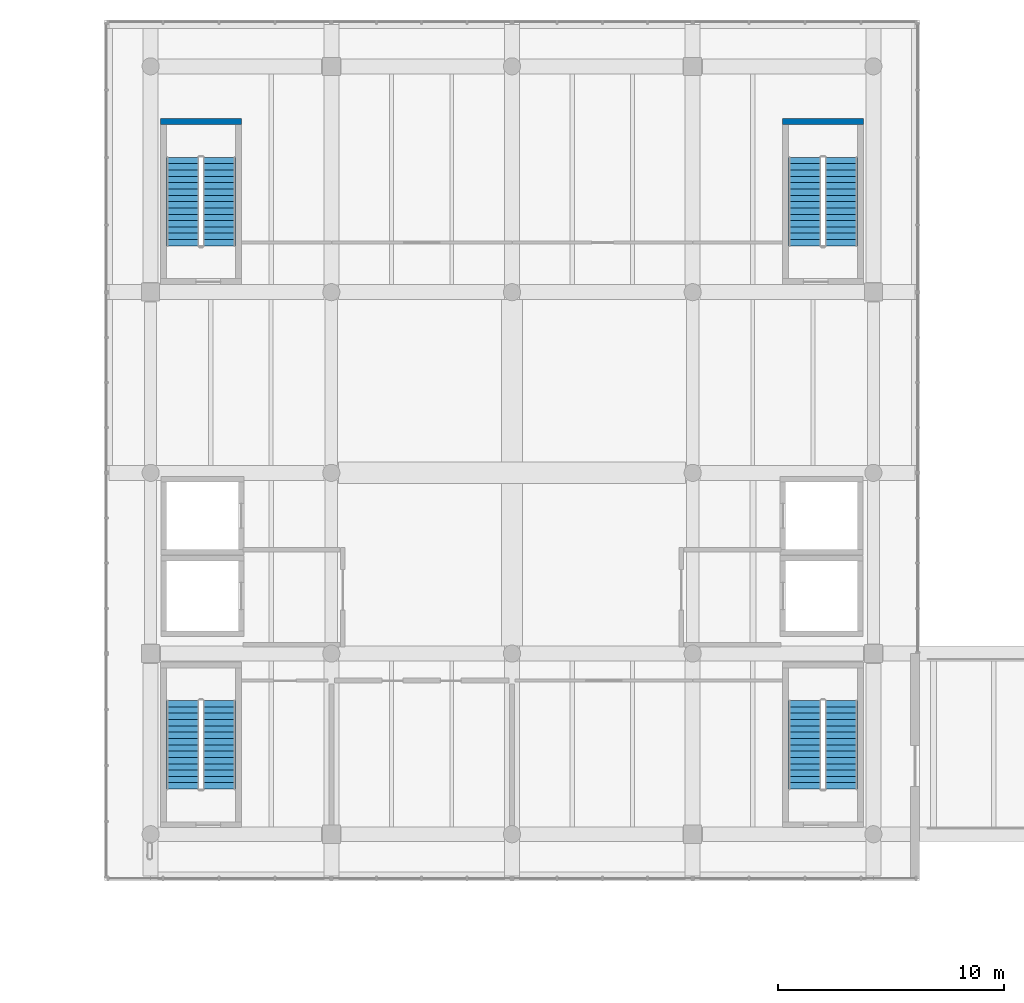
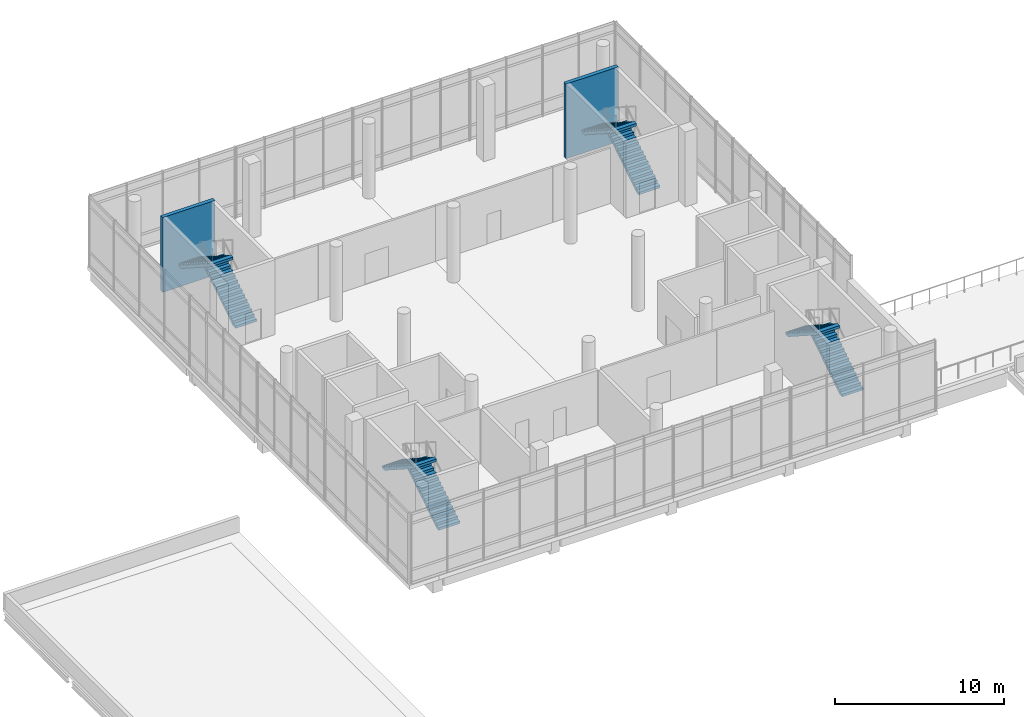
# One storey, part 15 of 20: 8 stair flights, 2 walls, 4 elements without a shape of their own.
"""IFC4 building model written with IfcOpenShell, lengths in metres."""

from ifc_helpers import new_model, si_unit, direction, frame, frame_2d, origin, place, context, subcontext, project, spatial, polyline, rectangle, outline, extrude, material, layer, layer_set, type_object, element, aggregate, save


model = new_model("IFC4")

# Units and contexts
model_context = context("Model", 3, precision=1e-05, world=origin(), true_north=direction((0.0, 1.0)))
body_context = subcontext(model_context, "Body", "Model", "MODEL_VIEW")
ifc_project = project(units=[si_unit("LENGTHUNIT", "METRE"), si_unit("AREAUNIT", "SQUARE_METRE"), si_unit("VOLUMEUNIT", "CUBIC_METRE"), si_unit("PLANEANGLEUNIT", "RADIAN"), si_unit("MASSUNIT", "GRAM", prefix="KILO")], contexts=[model_context])

# Site, building, storey
site_placement = place(None, origin())
site = spatial("IfcSite", under=ifc_project, at=site_placement, CompositionType="ELEMENT")
building_placement = place(site_placement, origin())
building = spatial("IfcBuilding", under=site, at=building_placement, Name="Pecanmere Concourse Central Library", CompositionType="ELEMENT")
storey_placement = place(building_placement, frame((0.0, 0.0, 24.89990234375)))
storey = spatial("IfcBuildingStorey", under=building, at=storey_placement, Name="L06", CompositionType="ELEMENT", Elevation=24.89990234375)

# Walls
ifc_material_1 = material(Name="Concrete C40/50", Category="concrete")
ifc_layer = layer(ifc_material_1, 0.260009765625, Name="WALL_SLD_260")
ifc_layer_set = layer_set([ifc_layer], Name="Concrete C40/50")
wall_type = type_object("IfcWallType", Name="WALL_SLD_260", PredefinedType="SOLIDWALL", material=ifc_layer_set)
for number, where, z_axis, x_axis, name in (
    (1, (72.43994140625, 121.550048828125, 0.0), (0.0, 0.0, 1.0), (1.0, 0.0, 0.0), "Core C3 North Wall L06"),
    (2, (99.97998046875, 121.550048828125, 0.0), (0.0, 0.0, 1.0), (1.0, 0.0, 0.0), "Core C4 North Wall L06"),
):
    element("IfcWall", number, at=place(storey_placement, frame(where, z_axis=z_axis, x_axis=x_axis)), inside=storey, type_object=wall_type, Name=name, PredefinedType="SOLIDWALL", context=body_context, shape_type="SweptSolid", body=[
        extrude(rectangle(XDim=3.580078125, YDim=0.260009765625, at=frame_2d((1.7900390625, 0.0))), origin(), (0.0, 0.0, 1.0), 5.400146484375),
    ])

# Stair, stair flights
ifc_material_2 = material(Name="Concrete C35/45", Category="concrete")
stair_type_1 = type_object("IfcStairType", Name="STAIR_TYPE_ST-01-1800", PredefinedType="USERDEFINED", material=ifc_material_2)
stair_1_placement = place(storey_placement, origin())
stair_1 = element("IfcStair", 3, at=stair_1_placement, inside=storey, type_object=stair_type_1, Name="L06 Protected Stair ST-01", ObjectType="TWO_RETURN_STAIR", PredefinedType="USERDEFINED")
ifc_material_3 = material(Name="Concrete C35/45", Category="concrete")
stair_flight_type = type_object("IfcStairFlightType", Name="FLIGHT_TYPE_SFL-145-1800", PredefinedType="STRAIGHT", material=ifc_material_3)
stair_flight_1_placement = place(storey_placement, frame((75.034912109375, 92.0, 0.0), z_axis=(0.0, 0.0, 1.0), x_axis=(0.0, 1.0, 0.0)))
stair_flight_1 = element("IfcStairFlight", 4, at=stair_flight_1_placement, type_object=stair_flight_type, Name="ST-01-1800 flight 1", NumberOfRisers=15, NumberOfTreads=14, PredefinedType="STRAIGHT", RiserHeight=0.18, TreadLength=0.28, context=body_context, shape_type="SweptSolid", body=[
    extrude(outline(polyline([(0.0, 0.0), (0.0, 0.179931640625), (0.280029296875, 0.179931640625), (0.280029296875, 0.360107421875), (0.56005859375, 0.360107421875), (0.56005859375, 0.5400390625), (0.840087890625, 0.5400390625), (0.840087890625, 0.719970703125), (1.1201171875, 0.719970703125), (1.1201171875, 0.89990234375), (1.39990234375, 0.89990234375), (1.39990234375, 1.080078125), (1.679931640625, 1.080078125), (1.679931640625, 1.260009765625), (1.9599609375, 1.260009765625), (1.9599609375, 1.43994140625), (2.239990234375, 1.43994140625), (2.239990234375, 1.6201171875), (2.52001953125, 1.6201171875), (2.52001953125, 1.800048828125), (2.800048828125, 1.800048828125), (2.800048828125, 1.97998046875), (3.080078125, 1.97998046875), (3.080078125, 2.159912109375), (3.360107421875, 2.159912109375), (3.360107421875, 2.340087890625), (3.639892578125, 2.340087890625), (3.639892578125, 2.52001953125), (3.919921875, 2.52001953125), (3.919921875, 2.699951171875), (3.919921875, 2.329833984375), (0.295654296875, 0.0), (0.0, 0.0)])), frame((0.0, 0.72509765625, 0.0), z_axis=(0.0, -1.0, 0.0), x_axis=(1.0, 0.0, 0.0)), (0.0, 0.0, 1.0), 1.449951171875),
])
stair_flight_2_placement = place(storey_placement, frame((73.425048828125, 95.919921875, 2.7001953125), z_axis=(0.0, 0.0, 1.0), x_axis=(0.0, -1.0, 0.0)))
stair_flight_2 = element("IfcStairFlight", 5, at=stair_flight_2_placement, type_object=stair_flight_type, Name="ST-01-1800 flight 2", NumberOfRisers=15, NumberOfTreads=14, PredefinedType="STRAIGHT", RiserHeight=0.18, TreadLength=0.28, context=body_context, shape_type="SweptSolid", body=[
    extrude(outline(polyline([(0.0, 0.0), (0.0, 0.179931640625), (0.280029296875, 0.179931640625), (0.280029296875, 0.360107421875), (0.56005859375, 0.360107421875), (0.56005859375, 0.5400390625), (0.840087890625, 0.5400390625), (0.840087890625, 0.719970703125), (1.1201171875, 0.719970703125), (1.1201171875, 0.89990234375), (1.39990234375, 0.89990234375), (1.39990234375, 1.080078125), (1.679931640625, 1.080078125), (1.679931640625, 1.260009765625), (1.9599609375, 1.260009765625), (1.9599609375, 1.43994140625), (2.239990234375, 1.43994140625), (2.239990234375, 1.6201171875), (2.52001953125, 1.6201171875), (2.52001953125, 1.800048828125), (2.800048828125, 1.800048828125), (2.800048828125, 1.97998046875), (3.080078125, 1.97998046875), (3.080078125, 2.159912109375), (3.360107421875, 2.159912109375), (3.360107421875, 2.340087890625), (3.639892578125, 2.340087890625), (3.639892578125, 2.52001953125), (3.919921875, 2.52001953125), (3.919921875, 2.699951171875), (3.919921875, 2.329833984375), (0.295654296875, 0.0), (0.0, 0.0)])), frame((0.0, 0.72509765625, 0.0), z_axis=(0.0, -1.0, 0.0), x_axis=(1.0, 0.0, 0.0)), (0.0, 0.0, 1.0), 1.449951171875),
])
aggregate(stair_1, [stair_flight_1, stair_flight_2])

ifc_material_4 = material(Name="Concrete C35/45", Category="concrete")
stair_type_2 = type_object("IfcStairType", Name="STAIR_TYPE_ST-02-1800", PredefinedType="USERDEFINED", material=ifc_material_4)
stair_2_placement = place(storey_placement, origin())
stair_2 = element("IfcStair", 6, at=stair_2_placement, inside=storey, type_object=stair_type_2, Name="L06 Protected Stair ST-02", ObjectType="TWO_RETURN_STAIR", PredefinedType="USERDEFINED")
stair_flight_3_placement = place(storey_placement, frame((102.574951171875, 92.0, 0.0), z_axis=(0.0, 0.0, 1.0), x_axis=(0.0, 1.0, 0.0)))
stair_flight_3 = element("IfcStairFlight", 7, at=stair_flight_3_placement, type_object=stair_flight_type, Name="ST-02-1800 flight 1", NumberOfRisers=15, NumberOfTreads=14, PredefinedType="STRAIGHT", RiserHeight=0.18, TreadLength=0.28, context=body_context, shape_type="SweptSolid", body=[
    extrude(outline(polyline([(0.0, 0.0), (0.0, 0.179931640625), (0.280029296875, 0.179931640625), (0.280029296875, 0.360107421875), (0.56005859375, 0.360107421875), (0.56005859375, 0.5400390625), (0.840087890625, 0.5400390625), (0.840087890625, 0.719970703125), (1.1201171875, 0.719970703125), (1.1201171875, 0.89990234375), (1.39990234375, 0.89990234375), (1.39990234375, 1.080078125), (1.679931640625, 1.080078125), (1.679931640625, 1.260009765625), (1.9599609375, 1.260009765625), (1.9599609375, 1.43994140625), (2.239990234375, 1.43994140625), (2.239990234375, 1.6201171875), (2.52001953125, 1.6201171875), (2.52001953125, 1.800048828125), (2.800048828125, 1.800048828125), (2.800048828125, 1.97998046875), (3.080078125, 1.97998046875), (3.080078125, 2.159912109375), (3.360107421875, 2.159912109375), (3.360107421875, 2.340087890625), (3.639892578125, 2.340087890625), (3.639892578125, 2.52001953125), (3.919921875, 2.52001953125), (3.919921875, 2.699951171875), (3.919921875, 2.329833984375), (0.295654296875, 0.0), (0.0, 0.0)])), frame((0.0, 0.72509765625, 0.0), z_axis=(0.0, -1.0, 0.0), x_axis=(1.0, 0.0, 0.0)), (0.0, 0.0, 1.0), 1.449951171875),
])
stair_flight_4_placement = place(storey_placement, frame((100.965087890625, 95.919921875, 2.7001953125), z_axis=(0.0, 0.0, 1.0), x_axis=(0.0, -1.0, 0.0)))
stair_flight_4 = element("IfcStairFlight", 8, at=stair_flight_4_placement, type_object=stair_flight_type, Name="ST-02-1800 flight 2", NumberOfRisers=15, NumberOfTreads=14, PredefinedType="STRAIGHT", RiserHeight=0.18, TreadLength=0.28, context=body_context, shape_type="SweptSolid", body=[
    extrude(outline(polyline([(0.0, 0.0), (0.0, 0.179931640625), (0.280029296875, 0.179931640625), (0.280029296875, 0.360107421875), (0.56005859375, 0.360107421875), (0.56005859375, 0.5400390625), (0.840087890625, 0.5400390625), (0.840087890625, 0.719970703125), (1.1201171875, 0.719970703125), (1.1201171875, 0.89990234375), (1.39990234375, 0.89990234375), (1.39990234375, 1.080078125), (1.679931640625, 1.080078125), (1.679931640625, 1.260009765625), (1.9599609375, 1.260009765625), (1.9599609375, 1.43994140625), (2.239990234375, 1.43994140625), (2.239990234375, 1.6201171875), (2.52001953125, 1.6201171875), (2.52001953125, 1.800048828125), (2.800048828125, 1.800048828125), (2.800048828125, 1.97998046875), (3.080078125, 1.97998046875), (3.080078125, 2.159912109375), (3.360107421875, 2.159912109375), (3.360107421875, 2.340087890625), (3.639892578125, 2.340087890625), (3.639892578125, 2.52001953125), (3.919921875, 2.52001953125), (3.919921875, 2.699951171875), (3.919921875, 2.329833984375), (0.295654296875, 0.0), (0.0, 0.0)])), frame((0.0, 0.72509765625, 0.0), z_axis=(0.0, -1.0, 0.0), x_axis=(1.0, 0.0, 0.0)), (0.0, 0.0, 1.0), 1.449951171875),
])
aggregate(stair_2, [stair_flight_3, stair_flight_4])

ifc_material_5 = material(Name="Concrete C35/45", Category="concrete")
stair_type_3 = type_object("IfcStairType", Name="STAIR_TYPE_ST-03-1800", PredefinedType="USERDEFINED", material=ifc_material_5)
stair_3_placement = place(storey_placement, origin())
stair_3 = element("IfcStair", 9, at=stair_3_placement, inside=storey, type_object=stair_type_3, Name="L06 Protected Stair ST-03", ObjectType="TWO_RETURN_STAIR", PredefinedType="USERDEFINED")
stair_flight_5_placement = place(storey_placement, frame((75.034912109375, 116.050048828125, 0.0), z_axis=(0.0, 0.0, 1.0), x_axis=(0.0, 1.0, 0.0)))
stair_flight_5 = element("IfcStairFlight", 10, at=stair_flight_5_placement, type_object=stair_flight_type, Name="ST-03-1800 flight 1", NumberOfRisers=15, NumberOfTreads=14, PredefinedType="STRAIGHT", RiserHeight=0.18, TreadLength=0.28, context=body_context, shape_type="SweptSolid", body=[
    extrude(outline(polyline([(0.0, 0.0), (0.0, 0.179931640625), (0.280029296875, 0.179931640625), (0.280029296875, 0.360107421875), (0.56005859375, 0.360107421875), (0.56005859375, 0.5400390625), (0.840087890625, 0.5400390625), (0.840087890625, 0.719970703125), (1.1201171875, 0.719970703125), (1.1201171875, 0.89990234375), (1.39990234375, 0.89990234375), (1.39990234375, 1.080078125), (1.679931640625, 1.080078125), (1.679931640625, 1.260009765625), (1.9599609375, 1.260009765625), (1.9599609375, 1.43994140625), (2.239990234375, 1.43994140625), (2.239990234375, 1.6201171875), (2.52001953125, 1.6201171875), (2.52001953125, 1.800048828125), (2.800048828125, 1.800048828125), (2.800048828125, 1.97998046875), (3.080078125, 1.97998046875), (3.080078125, 2.159912109375), (3.360107421875, 2.159912109375), (3.360107421875, 2.340087890625), (3.639892578125, 2.340087890625), (3.639892578125, 2.52001953125), (3.919921875, 2.52001953125), (3.919921875, 2.699951171875), (3.919921875, 2.329833984375), (0.295654296875, 0.0), (0.0, 0.0)])), frame((0.0, 0.72509765625, 0.0), z_axis=(0.0, -1.0, 0.0), x_axis=(1.0, 0.0, 0.0)), (0.0, 0.0, 1.0), 1.449951171875),
])
stair_flight_6_placement = place(storey_placement, frame((73.425048828125, 119.969970703125, 2.7001953125), z_axis=(0.0, 0.0, 1.0), x_axis=(0.0, -1.0, 0.0)))
stair_flight_6 = element("IfcStairFlight", 11, at=stair_flight_6_placement, type_object=stair_flight_type, Name="ST-03-1800 flight 2", NumberOfRisers=15, NumberOfTreads=14, PredefinedType="STRAIGHT", RiserHeight=0.18, TreadLength=0.28, context=body_context, shape_type="SweptSolid", body=[
    extrude(outline(polyline([(0.0, 0.0), (0.0, 0.179931640625), (0.280029296875, 0.179931640625), (0.280029296875, 0.360107421875), (0.56005859375, 0.360107421875), (0.56005859375, 0.5400390625), (0.840087890625, 0.5400390625), (0.840087890625, 0.719970703125), (1.1201171875, 0.719970703125), (1.1201171875, 0.89990234375), (1.39990234375, 0.89990234375), (1.39990234375, 1.080078125), (1.679931640625, 1.080078125), (1.679931640625, 1.260009765625), (1.9599609375, 1.260009765625), (1.9599609375, 1.43994140625), (2.239990234375, 1.43994140625), (2.239990234375, 1.6201171875), (2.52001953125, 1.6201171875), (2.52001953125, 1.800048828125), (2.800048828125, 1.800048828125), (2.800048828125, 1.97998046875), (3.080078125, 1.97998046875), (3.080078125, 2.159912109375), (3.360107421875, 2.159912109375), (3.360107421875, 2.340087890625), (3.639892578125, 2.340087890625), (3.639892578125, 2.52001953125), (3.919921875, 2.52001953125), (3.919921875, 2.699951171875), (3.919921875, 2.329833984375), (0.295654296875, 0.0), (0.0, 0.0)])), frame((0.0, 0.72509765625, 0.0), z_axis=(0.0, -1.0, 0.0), x_axis=(1.0, 0.0, 0.0)), (0.0, 0.0, 1.0), 1.449951171875),
])
aggregate(stair_3, [stair_flight_5, stair_flight_6])

ifc_material_6 = material(Name="Concrete C35/45", Category="concrete")
stair_type_4 = type_object("IfcStairType", Name="STAIR_TYPE_ST-04-1800", PredefinedType="USERDEFINED", material=ifc_material_6)
stair_4_placement = place(storey_placement, origin())
stair_4 = element("IfcStair", 12, at=stair_4_placement, inside=storey, type_object=stair_type_4, Name="L06 Protected Stair ST-04", ObjectType="TWO_RETURN_STAIR", PredefinedType="USERDEFINED")
stair_flight_7_placement = place(storey_placement, frame((102.574951171875, 116.050048828125, 0.0), z_axis=(0.0, 0.0, 1.0), x_axis=(0.0, 1.0, 0.0)))
stair_flight_7 = element("IfcStairFlight", 13, at=stair_flight_7_placement, type_object=stair_flight_type, Name="ST-04-1800 flight 1", NumberOfRisers=15, NumberOfTreads=14, PredefinedType="STRAIGHT", RiserHeight=0.18, TreadLength=0.28, context=body_context, shape_type="SweptSolid", body=[
    extrude(outline(polyline([(0.0, 0.0), (0.0, 0.179931640625), (0.280029296875, 0.179931640625), (0.280029296875, 0.360107421875), (0.56005859375, 0.360107421875), (0.56005859375, 0.5400390625), (0.840087890625, 0.5400390625), (0.840087890625, 0.719970703125), (1.1201171875, 0.719970703125), (1.1201171875, 0.89990234375), (1.39990234375, 0.89990234375), (1.39990234375, 1.080078125), (1.679931640625, 1.080078125), (1.679931640625, 1.260009765625), (1.9599609375, 1.260009765625), (1.9599609375, 1.43994140625), (2.239990234375, 1.43994140625), (2.239990234375, 1.6201171875), (2.52001953125, 1.6201171875), (2.52001953125, 1.800048828125), (2.800048828125, 1.800048828125), (2.800048828125, 1.97998046875), (3.080078125, 1.97998046875), (3.080078125, 2.159912109375), (3.360107421875, 2.159912109375), (3.360107421875, 2.340087890625), (3.639892578125, 2.340087890625), (3.639892578125, 2.52001953125), (3.919921875, 2.52001953125), (3.919921875, 2.699951171875), (3.919921875, 2.329833984375), (0.295654296875, 0.0), (0.0, 0.0)])), frame((0.0, 0.72509765625, 0.0), z_axis=(0.0, -1.0, 0.0), x_axis=(1.0, 0.0, 0.0)), (0.0, 0.0, 1.0), 1.449951171875),
])
stair_flight_8_placement = place(storey_placement, frame((100.965087890625, 119.969970703125, 2.7001953125), z_axis=(0.0, 0.0, 1.0), x_axis=(0.0, -1.0, 0.0)))
stair_flight_8 = element("IfcStairFlight", 14, at=stair_flight_8_placement, type_object=stair_flight_type, Name="ST-04-1800 flight 2", NumberOfRisers=15, NumberOfTreads=14, PredefinedType="STRAIGHT", RiserHeight=0.18, TreadLength=0.28, context=body_context, shape_type="SweptSolid", body=[
    extrude(outline(polyline([(0.0, 0.0), (0.0, 0.179931640625), (0.280029296875, 0.179931640625), (0.280029296875, 0.360107421875), (0.56005859375, 0.360107421875), (0.56005859375, 0.5400390625), (0.840087890625, 0.5400390625), (0.840087890625, 0.719970703125), (1.1201171875, 0.719970703125), (1.1201171875, 0.89990234375), (1.39990234375, 0.89990234375), (1.39990234375, 1.080078125), (1.679931640625, 1.080078125), (1.679931640625, 1.260009765625), (1.9599609375, 1.260009765625), (1.9599609375, 1.43994140625), (2.239990234375, 1.43994140625), (2.239990234375, 1.6201171875), (2.52001953125, 1.6201171875), (2.52001953125, 1.800048828125), (2.800048828125, 1.800048828125), (2.800048828125, 1.97998046875), (3.080078125, 1.97998046875), (3.080078125, 2.159912109375), (3.360107421875, 2.159912109375), (3.360107421875, 2.340087890625), (3.639892578125, 2.340087890625), (3.639892578125, 2.52001953125), (3.919921875, 2.52001953125), (3.919921875, 2.699951171875), (3.919921875, 2.329833984375), (0.295654296875, 0.0), (0.0, 0.0)])), frame((0.0, 0.72509765625, 0.0), z_axis=(0.0, -1.0, 0.0), x_axis=(1.0, 0.0, 0.0)), (0.0, 0.0, 1.0), 1.449951171875),
])
aggregate(stair_4, [stair_flight_7, stair_flight_8])

save(model, "model.ifc")
